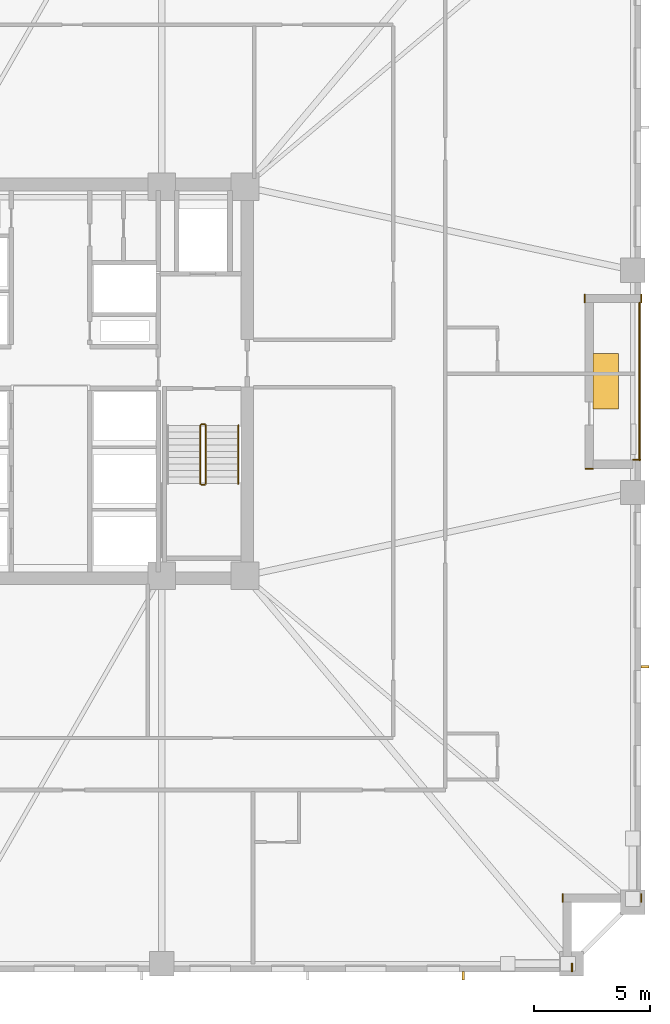
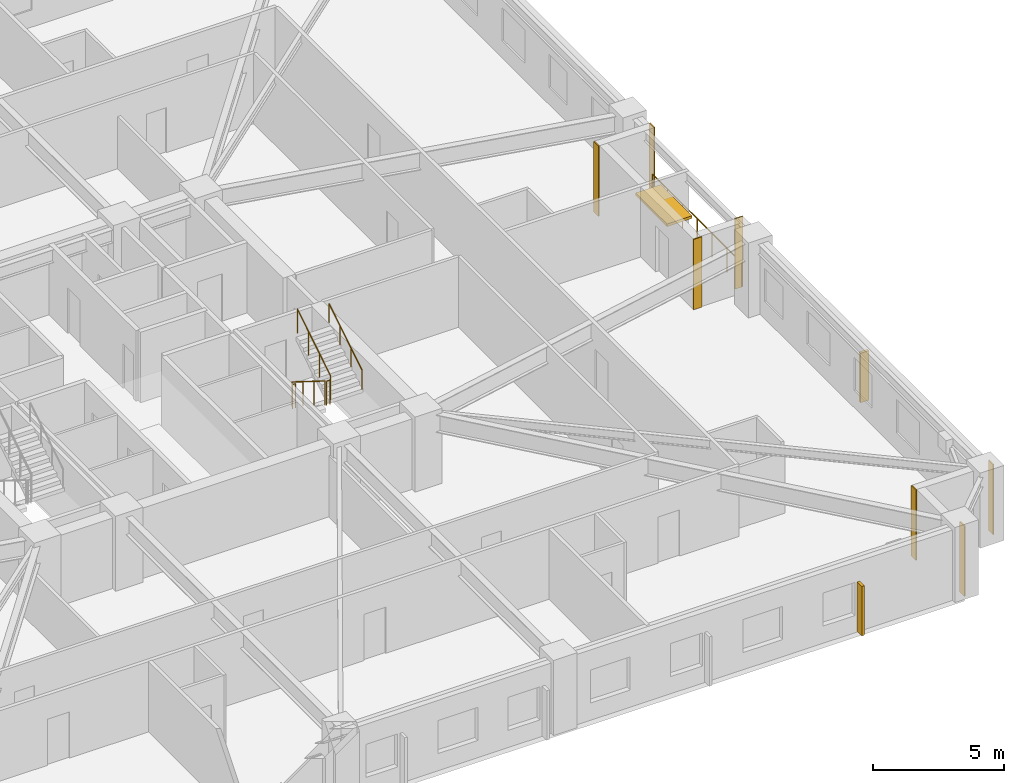
# One storey, part 9 of 11: 7 coverings, 6 railings, 3 shading devices.
"""IFC4 building model written with IfcOpenShell, lengths in metres."""

from ifc_helpers import new_model, si_unit, direction, frame, frame_2d, origin, origin_2d, place, context, subcontext, project, spatial, rectangle, circle, extrude, material, layer, layer_set, type_object, element, save


model = new_model("IFC4")

# Units and contexts
model_context = context("Model", 3, precision=1e-05, world=origin(), true_north=direction((0.0, 1.0)))
body_context = subcontext(model_context, "Body", "Model", "MODEL_VIEW")
ifc_project = project(units=[si_unit("LENGTHUNIT", "METRE"), si_unit("AREAUNIT", "SQUARE_METRE"), si_unit("VOLUMEUNIT", "CUBIC_METRE"), si_unit("PLANEANGLEUNIT", "RADIAN"), si_unit("MASSUNIT", "GRAM", prefix="KILO")], contexts=[model_context])

# Site, building, storey
site_placement = place(None, origin())
site = spatial("IfcSite", under=ifc_project, at=site_placement, CompositionType="ELEMENT")
building_placement = place(site_placement, origin())
building = spatial("IfcBuilding", under=site, at=building_placement, Name="Cairnveth Concourse Tower", CompositionType="ELEMENT")
storey_placement = place(building_placement, frame((0.0, 0.0, 69.0)))
storey = spatial("IfcBuildingStorey", under=building, at=storey_placement, Name="L18", CompositionType="ELEMENT", Elevation=69.0)

# Coverings
ifc_material_1 = material(Name="Dressed Melbourne Bluestone Cladding", Category="masonry")
ifc_layer = layer(ifc_material_1, 0.050048828125)
ifc_layer_set = layer_set([ifc_layer], Name="Dressed Melbourne Bluestone Cladding")
covering_type = type_object("IfcCoveringType", Name="DRESSED BLUESTONE PLINTH CLADDING 50", PredefinedType="CLADDING", material=ifc_layer_set)
for number, where, z_axis, x_axis, name in (
    (1, (77.139892578125, 35.6201171875, 0.0), (0.0, 0.0, 1.0), (1.0, 0.0, 0.0), "Melbourne Bluestone Corner Quoin L18-231"),
    (2, (77.52001953125, 16.860107421875, 0.0), (0.0, 0.0, 1.0), (0.0, -1.0, 0.0), "Melbourne Bluestone Corner Quoin L18-232"),
    (3, (74.1201171875, 16.860107421875, 0.0), (0.0, 0.0, 1.0), (0.0, -1.0, 0.0), "Melbourne Bluestone Corner Quoin L18-233"),
    (4, (74.52001953125, 13.860107421875, 0.0), (0.0, 0.0, 1.0), (0.0, -1.0, 0.0), "Melbourne Bluestone Corner Quoin L18-234"),
    (5, (77.52001953125, 42.760009765625, 0.0), (0.0, 0.0, 1.0), (0.0, -1.0, 0.0), "Melbourne Bluestone Corner Quoin L18-244"),
    (6, (75.070068359375, 42.760009765625, 0.0), (0.0, 0.0, 1.0), (0.0, -1.0, 0.0), "Melbourne Bluestone Corner Quoin L18-245"),
):
    element("IfcCovering", number, at=place(storey_placement, frame(where, z_axis=z_axis, x_axis=x_axis)), inside=storey, type_object=covering_type, Name=name, PredefinedType="CLADDING", context=body_context, shape_type="SweptSolid", body=[
        extrude(rectangle(XDim=0.360107421875, YDim=0.050048828125, at=frame_2d((0.18017578125, 0.0))), origin(), (0.0, 0.0, 1.0), 3.280029296875),
    ])
covering_placement = place(storey_placement, frame((75.090087890625, 35.219970703125, 0.0), z_axis=(0.0, 0.0, 1.0), x_axis=(1.0, 0.0, 0.0)))
element("IfcCovering", 7, at=covering_placement, inside=storey, type_object=covering_type, Name="Melbourne Bluestone Corner Quoin L18-246", PredefinedType="CLADDING", context=body_context, shape_type="SweptSolid", body=[
    extrude(rectangle(XDim=0.35986328125, YDim=0.050048828125, at=frame_2d((0.179931640625, 0.0))), origin(), (0.0, 0.0, 1.0), 3.280029296875),
])

# Shading devices
ifc_material_2 = material(Name="Architectural Bronze Anodised Aluminium 6063-T6", Category="aluminium")
shading_device_type_1 = type_object("IfcShadingDeviceType", Name="GOTHIC BRONZE VERTICAL LANCET FIN", PredefinedType="USERDEFINED", material=ifc_material_2)
for number, where, z_axis, x_axis, name in (
    (8, (77.675048828125, 26.67138671875, 0.02978515625), (0.0, 0.0, 1.0), (0.0, 1.0, 0.0), "Gothic Bronze Vertical Fin L18-0-3"),
    (9, (69.829833984375, 13.324951171875, 0.02978515625), (0.0, 0.0, 1.0), (1.0, 0.0, 0.0), "Gothic Bronze Vertical Fin L18-3-1"),
):
    element("IfcShadingDevice", number, at=place(storey_placement, frame(where, z_axis=z_axis, x_axis=x_axis)), inside=storey, type_object=shading_device_type_1, Name=name, ObjectType="VERTICAL FIN", PredefinedType="USERDEFINED", context=body_context, shape_type="SweptSolid", body=[
        extrude(rectangle(XDim=0.1201171875, YDim=0.360107421875, at=origin_2d()), origin(), (0.0, 0.0, 1.0), 2.303955078125),
    ])
shading_device_type_2 = type_object("IfcShadingDeviceType", Name="SPIRAL TERRACE SUNSHADE CANOPY", PredefinedType="USERDEFINED", material=ifc_material_2)
shading_device_placement = place(storey_placement, frame((75.969970703125, 39.0, 2.183837890625), z_axis=(0.0, 0.0, 1.0), x_axis=(1.0, 0.0, 0.0)))
element("IfcShadingDevice", 10, at=shading_device_placement, inside=storey, type_object=shading_device_type_2, Name="Spiral Terrace Sunshade L18", ObjectType="TERRACE SUNSHADE", PredefinedType="USERDEFINED", context=body_context, shape_type="SweptSolid", body=[
    extrude(rectangle(XDim=1.10009765625, YDim=2.39990234375, at=origin_2d()), origin(), (0.0, 0.0, 1.0), 0.1201171875),
])

# Railings
ifc_material_3 = material(Name="Steel Grade 350", Category="steel")
railing_type_1 = type_object("IfcRailingType", Name="STAIR GUARDRAIL 1150", PredefinedType="GUARDRAIL", material=ifc_material_3)
railing_1_placement = place(storey_placement, frame((58.469970703125, 37.10009765625, 0.175048828125)))
element("IfcRailing", 11, at=railing_1_placement, inside=storey, type_object=railing_type_1, Name="L18 ST-2 stair guard 1", PredefinedType="GUARDRAIL", context=body_context, shape_type="SweptSolid", body=[
    extrude(circle(Radius=0.02392578125, at=origin_2d()), frame((0.0, 0.0, 1.1259765625), z_axis=(0.0, -0.848007534815, 0.529984170421), x_axis=(1.0, 0.0, 0.0)), (0.0, 0.0, 1.0), 2.9716796875),
    extrude(circle(Radius=0.02099609375, at=origin_2d()), origin(), (0.0, 0.0, 1.0), 1.101806640625),
    extrude(circle(Radius=0.02099609375, at=origin_2d()), frame((0.0, -0.840087890625, 0.52490234375)), (0.0, 0.0, 1.0), 1.101806640625),
    extrude(circle(Radius=0.02099609375, at=origin_2d()), frame((0.0, -1.679931640625, 1.050048828125)), (0.0, 0.0, 1.0), 1.101806640625),
    extrude(circle(Radius=0.02099609375, at=origin_2d()), frame((0.0, -2.52001953125, 1.574951171875)), (0.0, 0.0, 1.0), 1.101806640625),
])
railing_2_placement = place(storey_placement, frame((58.52001953125, 34.530029296875, 1.75)))
element("IfcRailing", 12, at=railing_2_placement, inside=storey, type_object=railing_type_1, Name="L18 ST-2 stair guard 2", PredefinedType="GUARDRAIL", context=body_context, shape_type="SweptSolid", body=[
    extrude(circle(Radius=0.02392578125, at=origin_2d()), frame((0.0, 0.0, 1.1259765625), z_axis=(1.0, 0.0, 0.0), x_axis=(0.0, 1.0, 0.0)), (0.0, 0.0, 1.0), 0.139892578125),
    extrude(circle(Radius=0.02099609375, at=origin_2d()), origin(), (0.0, 0.0, 1.0), 1.101806640625),
    extrude(circle(Radius=0.02099609375, at=origin_2d()), frame((0.139892578125, 0.0, 0.0)), (0.0, 0.0, 1.0), 1.101806640625),
])
railing_3_placement = place(storey_placement, frame((58.7099609375, 34.580078125, 1.925048828125)))
element("IfcRailing", 13, at=railing_3_placement, inside=storey, type_object=railing_type_1, Name="L18 ST-2 stair guard 3", PredefinedType="GUARDRAIL", context=body_context, shape_type="SweptSolid", body=[
    extrude(circle(Radius=0.02392578125, at=origin_2d()), frame((0.0, 0.0, 1.1259765625), z_axis=(0.0, 0.848007534815, 0.529984170421), x_axis=(-1.0, 0.0, 0.0)), (0.0, 0.0, 1.0), 2.9716796875),
    extrude(circle(Radius=0.02099609375, at=origin_2d()), origin(), (0.0, 0.0, 1.0), 1.101806640625),
    extrude(circle(Radius=0.02099609375, at=origin_2d()), frame((0.0, 0.840087890625, 0.52490234375)), (0.0, 0.0, 1.0), 1.101806640625),
    extrude(circle(Radius=0.02099609375, at=origin_2d()), frame((0.0, 1.679931640625, 1.050048828125)), (0.0, 0.0, 1.0), 1.101806640625),
    extrude(circle(Radius=0.02099609375, at=origin_2d()), frame((0.0, 2.52001953125, 1.574951171875)), (0.0, 0.0, 1.0), 1.101806640625),
])
railing_4_placement = place(storey_placement, frame((58.52001953125, 37.14990234375, 0.0)))
element("IfcRailing", 14, at=railing_4_placement, inside=storey, type_object=railing_type_1, Name="L18 ST-2 stair guard 4", PredefinedType="GUARDRAIL", context=body_context, shape_type="SweptSolid", body=[
    extrude(circle(Radius=0.02392578125, at=origin_2d()), frame((0.0, 0.0, 1.1259765625), z_axis=(1.0, 0.0, 0.0), x_axis=(0.0, 1.0, 0.0)), (0.0, 0.0, 1.0), 0.139892578125),
    extrude(circle(Radius=0.02099609375, at=origin_2d()), origin(), (0.0, 0.0, 1.0), 1.101806640625),
    extrude(circle(Radius=0.02099609375, at=origin_2d()), frame((0.139892578125, 0.0, 0.0)), (0.0, 0.0, 1.0), 1.101806640625),
])
railing_type_2 = type_object("IfcRailingType", Name="STAIR WALL HANDRAIL 900", PredefinedType="HANDRAIL", material=ifc_material_3)
railing_5_placement = place(storey_placement, frame((60.110107421875, 34.580078125, 1.925048828125)))
element("IfcRailing", 15, at=railing_5_placement, inside=storey, type_object=railing_type_2, Name="L18 ST-2 stair handrail 2", PredefinedType="HANDRAIL", context=body_context, shape_type="SweptSolid", body=[
    extrude(circle(Radius=0.02392578125, at=origin_2d()), frame((0.0, 0.0, 0.8759765625), z_axis=(0.0, 0.848007534815, 0.529984170421), x_axis=(-1.0, 0.0, 0.0)), (0.0, 0.0, 1.0), 2.9716796875),
    extrude(circle(Radius=0.02099609375, at=origin_2d()), origin(), (0.0, 0.0, 1.0), 0.851806640625),
    extrude(circle(Radius=0.02099609375, at=origin_2d()), frame((0.0, 0.840087890625, 0.52490234375)), (0.0, 0.0, 1.0), 0.851806640625),
    extrude(circle(Radius=0.02099609375, at=origin_2d()), frame((0.0, 1.679931640625, 1.050048828125)), (0.0, 0.0, 1.0), 0.851806640625),
    extrude(circle(Radius=0.02099609375, at=origin_2d()), frame((0.0, 2.52001953125, 1.574951171875)), (0.0, 0.0, 1.0), 0.851806640625),
])
railing_type_3 = type_object("IfcRailingType", Name="TERRACE BRONZE BALUSTRADE 1150", PredefinedType="BALUSTRADE", material=ifc_material_2)
railing_6_placement = place(storey_placement, frame((77.43994140625, 35.60009765625, 0.0)))
element("IfcRailing", 16, at=railing_6_placement, inside=storey, type_object=railing_type_3, Name="Terrace Balustrade RL-L18-TERR", PredefinedType="BALUSTRADE", context=body_context, shape_type="SweptSolid", body=[
    extrude(circle(Radius=0.02490234375, at=origin_2d()), frame((0.0, 0.0, 1.125), z_axis=(0.0, 1.0, 0.0), x_axis=(-1.0, 0.0, 0.0)), (0.0, 0.0, 1.0), 6.7998046875),
    extrude(circle(Radius=0.02099609375, at=origin_2d()), origin(), (0.0, 0.0, 1.0), 1.099853515625),
    extrude(circle(Radius=0.02099609375, at=origin_2d()), frame((0.0, 1.13330078125, 0.0)), (0.0, 0.0, 1.0), 1.099853515625),
    extrude(circle(Radius=0.02099609375, at=origin_2d()), frame((0.0, 2.2666015625, 0.0)), (0.0, 0.0, 1.0), 1.099853515625),
    extrude(circle(Radius=0.02099609375, at=origin_2d()), frame((0.0, 3.39990234375, 0.0)), (0.0, 0.0, 1.0), 1.099853515625),
    extrude(circle(Radius=0.02099609375, at=origin_2d()), frame((0.0, 4.533203125, 0.0)), (0.0, 0.0, 1.0), 1.099853515625),
    extrude(circle(Radius=0.02099609375, at=origin_2d()), frame((0.0, 5.66650390625, 0.0)), (0.0, 0.0, 1.0), 1.099853515625),
    extrude(circle(Radius=0.02099609375, at=origin_2d()), frame((0.0, 6.7998046875, 0.0)), (0.0, 0.0, 1.0), 1.099853515625),
])

save(model, "model.ifc")
